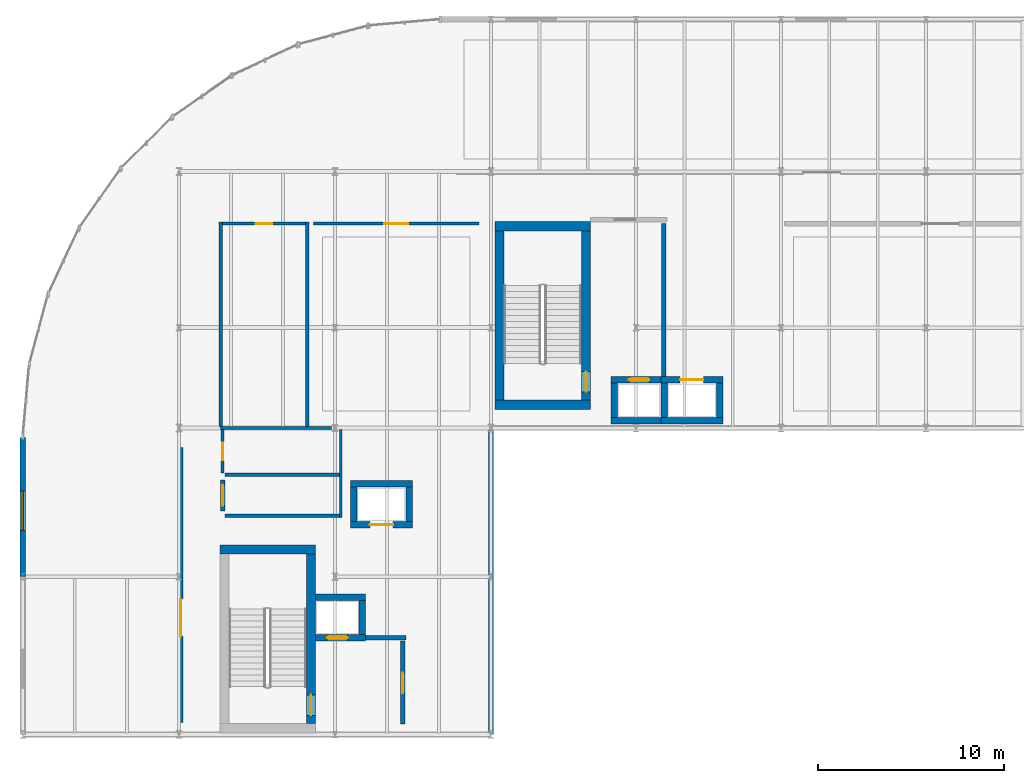
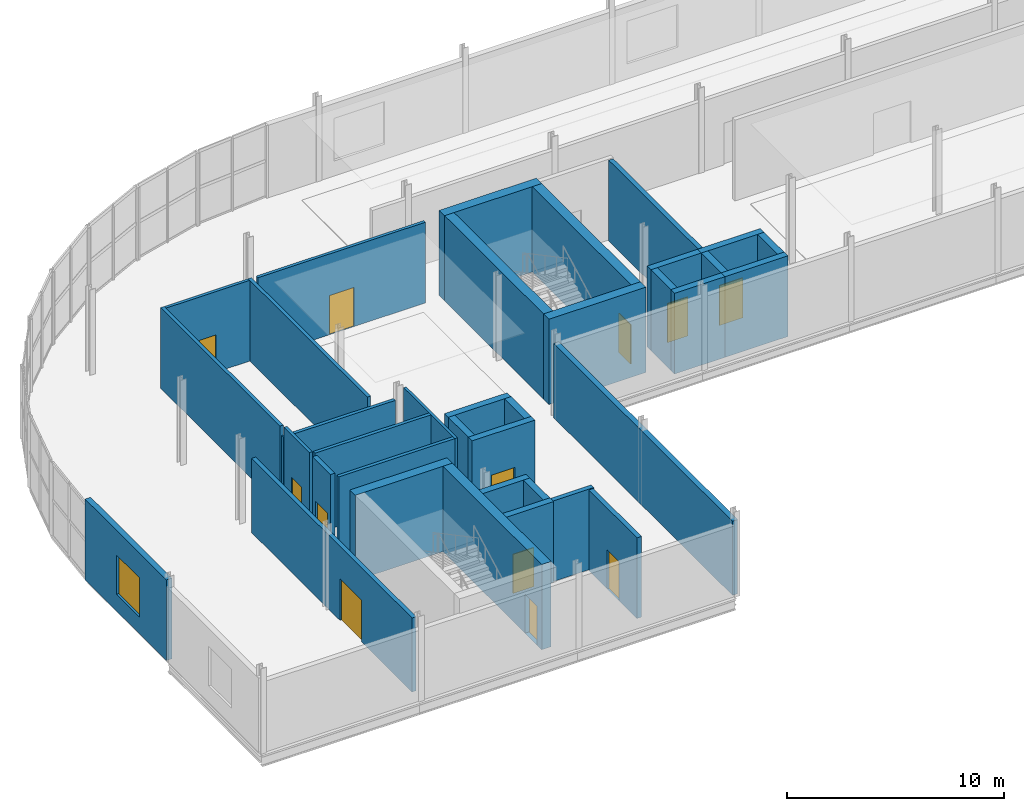
# One storey, part 10 of 15: 36 walls, 12 doors, 1 window, 13 openings.
"""IFC4 building model written with IfcOpenShell, lengths in metres."""

from ifc_helpers import new_model, si_unit, direction, frame, frame_2d, origin, place, context, subcontext, project, spatial, rectangle, extrude, material, layer, layer_set, type_object, element, fill, save


model = new_model("IFC4")

# Units and contexts
model_context = context("Model", 3, precision=1e-05, world=origin(), true_north=direction((0.0, 1.0)))
body_context = subcontext(model_context, "Body", "Model", "MODEL_VIEW")
ifc_project = project(units=[si_unit("LENGTHUNIT", "METRE"), si_unit("AREAUNIT", "SQUARE_METRE"), si_unit("VOLUMEUNIT", "CUBIC_METRE"), si_unit("PLANEANGLEUNIT", "RADIAN"), si_unit("MASSUNIT", "GRAM", prefix="KILO")], contexts=[model_context])

# Site, building, storey
site_placement = place(None, origin())
site = spatial("IfcSite", under=ifc_project, at=site_placement, CompositionType="ELEMENT")
building_placement = place(site_placement, origin())
building = spatial("IfcBuilding", under=site, at=building_placement, Name="Sefraquen Railside Congress Hotel", CompositionType="ELEMENT")
storey_placement = place(building_placement, frame((0.0, 0.0, 46.800048828125)))
storey = spatial("IfcBuildingStorey", under=building, at=storey_placement, Name="L11", CompositionType="ELEMENT", Elevation=46.800048828125)

# Wall, opening, door
ifc_material_1 = material(Name="Acoustic double stud and gypsum board", Category="gypsum")
ifc_layer_1 = layer(ifc_material_1, 0.219970703125)
ifc_layer_set_1 = layer_set([ifc_layer_1], Name="Acoustic double stud and gypsum board")
wall_type_1 = type_object("IfcWallType", Name="TW-AW-220", PredefinedType="PARTITIONING", material=ifc_layer_set_1)
wall_1_placement = place(storey_placement, frame((8.5, 80.14990234375, 0.0), z_axis=(0.0, 0.0, 1.0), x_axis=(0.0, 1.0, 0.0)))
wall_1 = element("IfcWall", 1, at=wall_1_placement, inside=storey, type_object=wall_type_1, Name="Presidential Private Banquet Salon enclosure wall", PredefinedType="PARTITIONING", context=body_context, shape_type="SweptSolid", body=[
    extrude(rectangle(XDim=14.800048828125, YDim=0.219970703125, at=frame_2d((7.39990234375, 0.0))), origin(), (0.0, 0.0, 1.0), 4.169921875),
])
opening_1_placement = place(wall_1_placement, frame((4.64990234375, 0.0, 0.0)))
opening_1 = element("IfcOpeningElement", 2, at=opening_1_placement, cuts=wall_1, Name="Opening AD-02", PredefinedType="OPENING", context=body_context, shape_type="SweptSolid", body=[
    extrude(rectangle(XDim=2.0, YDim=2.35009765625, at=frame_2d((1.0, 1.175048828125))), frame((0.0, 0.119873046875, 0.0), z_axis=(0.0, -1.0, 0.0), x_axis=(1.0, 0.0, 0.0)), (0.0, 0.0, 1.0), 0.239990234375),
])
ifc_material_2 = material(Name="Acoustic Atlas cedar timber", Category="wood")
door_type_1 = type_object("IfcDoorType", Name="TD-AD-02", OperationType="NOTDEFINED", PredefinedType="DOOR", material=ifc_material_2)
door_1_placement = place(opening_1_placement, origin())
door_1 = element("IfcDoor", 3, at=door_1_placement, inside=storey, type_object=door_type_1, Name="Presidential Private Banquet Salon entrance door", OperationType="DOUBLE_SWING_LEFT", OverallHeight=2.35009765625, OverallWidth=2.0, PredefinedType="DOOR", context=body_context, shape_type="SweptSolid", body=[
    extrude(rectangle(XDim=2.0, YDim=2.35009765625, at=frame_2d((1.0, 1.175048828125))), frame((0.0, 0.02490234375, 0.0), z_axis=(0.0, -1.0, 0.0), x_axis=(1.0, 0.0, 0.0)), (0.0, 0.0, 1.0), 0.050048828125),
])
fill(opening_1, door_1)

# Wall
ifc_material_3 = material(Name="Concrete C50/60", Category="concrete")
ifc_layer_2 = layer(ifc_material_3, 0.35009765625)
ifc_layer_set_2 = layer_set([ifc_layer_2], Name="Concrete C50/60")
wall_type_2 = type_object("IfcWallType", Name="TW-CW-350", PredefinedType="SHEAR", material=ifc_layer_set_2)
wall_2_placement = place(storey_placement, frame((15.760009765625, 86.89501953125, 0.0), z_axis=(0.0, 0.0, 1.0), x_axis=(1.0, 0.0, 0.0)))
element("IfcWall", 4, at=wall_2_placement, inside=storey, type_object=wall_type_2, Name="Lift FL-01 shaft wall N L11", PredefinedType="SHEAR", context=body_context, shape_type="SweptSolid", body=[
    extrude(rectangle(XDim=2.68994140625, YDim=0.35009765625, at=frame_2d((1.344970703125, 0.0))), origin(), (0.0, 0.0, 1.0), 4.5400390625),
])

# Wall, opening, door
wall_3_placement = place(storey_placement, frame((15.760009765625, 84.705078125, 0.0), z_axis=(0.0, 0.0, 1.0), x_axis=(1.0, 0.0, 0.0)))
wall_3 = element("IfcWall", 5, at=wall_3_placement, inside=storey, type_object=wall_type_2, Name="Lift FL-01 shaft wall S L11", PredefinedType="SHEAR", context=body_context, shape_type="SweptSolid", body=[
    extrude(rectangle(XDim=2.68994140625, YDim=0.35009765625, at=frame_2d((1.344970703125, 0.0))), origin(), (0.0, 0.0, 1.0), 4.5400390625),
])
opening_2_placement = place(wall_3_placement, frame((0.6201171875, 0.0, 0.0)))
opening_2 = element("IfcOpeningElement", 6, at=opening_2_placement, cuts=wall_3, Name="Opening LD-01", PredefinedType="OPENING", context=body_context, shape_type="SweptSolid", body=[
    extrude(rectangle(XDim=1.10009765625, YDim=2.199951171875, at=frame_2d((0.550048828125, 1.10009765625))), frame((0.0, 0.18505859375, 0.0), z_axis=(0.0, -1.0, 0.0), x_axis=(1.0, 0.0, 0.0)), (0.0, 0.0, 1.0), 0.3701171875),
])
ifc_material_4 = material(Name="Brushed bronze stainless steel", Category="steel")
door_type_2 = type_object("IfcDoorType", Name="TD-LD-01", OperationType="NOTDEFINED", PredefinedType="DOOR", material=ifc_material_4)
door_2_placement = place(opening_2_placement, origin())
door_2 = element("IfcDoor", 7, at=door_2_placement, inside=storey, type_object=door_type_2, Name="Lift landing door FL-01 L11", OperationType="SLIDING_TO_LEFT", OverallHeight=2.199951171875, OverallWidth=1.10009765625, PredefinedType="DOOR", context=body_context, shape_type="SweptSolid", body=[
    extrude(rectangle(XDim=1.10009765625, YDim=2.199951171875, at=frame_2d((0.550048828125, 1.10009765625))), frame((0.0, 0.02490234375, 0.0), z_axis=(0.0, -1.0, 0.0), x_axis=(1.0, 0.0, 0.0)), (0.0, 0.0, 1.0), 0.050048828125),
])
fill(opening_2, door_2)

# Wall
wall_4_placement = place(storey_placement, frame((18.27490234375, 84.8798828125, 0.0), z_axis=(0.0, 0.0, 1.0), x_axis=(0.0, 1.0, 0.0)))
element("IfcWall", 8, at=wall_4_placement, inside=storey, type_object=wall_type_2, Name="Lift FL-01 shaft wall E L11", PredefinedType="SHEAR", context=body_context, shape_type="SweptSolid", body=[
    extrude(rectangle(XDim=1.840087890625, YDim=0.35009765625, at=frame_2d((0.919921875, 0.0))), origin(), (0.0, 0.0, 1.0), 4.5400390625),
])

# Wall, opening, door
wall_5_placement = place(storey_placement, frame((31.639892578125, 98.594970703125, 0.0), z_axis=(0.0, 0.0, 1.0), x_axis=(1.0, 0.0, 0.0)))
wall_5 = element("IfcWall", 9, at=wall_5_placement, inside=storey, type_object=wall_type_2, Name="Lift FL-02 shaft wall N L11", PredefinedType="SHEAR", context=body_context, shape_type="SweptSolid", body=[
    extrude(rectangle(XDim=2.690185546875, YDim=0.35009765625, at=frame_2d((1.34521484375, 0.0))), origin(), (0.0, 0.0, 1.0), 4.5400390625),
])
opening_3_placement = place(wall_5_placement, frame((0.969970703125, 0.0, 0.0)))
opening_3 = element("IfcOpeningElement", 10, at=opening_3_placement, cuts=wall_5, Name="Opening LD-01", PredefinedType="OPENING", context=body_context, shape_type="SweptSolid", body=[
    extrude(rectangle(XDim=1.10009765625, YDim=2.199951171875, at=frame_2d((0.550048828125, 1.10009765625))), frame((0.0, 0.18505859375, 0.0), z_axis=(0.0, -1.0, 0.0), x_axis=(1.0, 0.0, 0.0)), (0.0, 0.0, 1.0), 0.3701171875),
])
door_3_placement = place(opening_3_placement, origin())
door_3 = element("IfcDoor", 11, at=door_3_placement, inside=storey, type_object=door_type_2, Name="Lift landing door FL-02 L11", OperationType="SLIDING_TO_LEFT", OverallHeight=2.199951171875, OverallWidth=1.10009765625, PredefinedType="DOOR", context=body_context, shape_type="SweptSolid", body=[
    extrude(rectangle(XDim=1.10009765625, YDim=2.199951171875, at=frame_2d((0.550048828125, 1.10009765625))), frame((0.0, 0.02490234375, 0.0), z_axis=(0.0, -1.0, 0.0), x_axis=(1.0, 0.0, 0.0)), (0.0, 0.0, 1.0), 0.050048828125),
])
fill(opening_3, door_3)

# Walls
wall_6_placement = place(storey_placement, frame((31.639892578125, 96.405029296875, 0.0), z_axis=(0.0, 0.0, 1.0), x_axis=(1.0, 0.0, 0.0)))
element("IfcWall", 12, at=wall_6_placement, inside=storey, type_object=wall_type_2, Name="Lift FL-02 shaft wall S L11", PredefinedType="SHEAR", context=body_context, shape_type="SweptSolid", body=[
    extrude(rectangle(XDim=2.690185546875, YDim=0.35009765625, at=frame_2d((1.34521484375, 0.0))), origin(), (0.0, 0.0, 1.0), 4.5400390625),
])
wall_7_placement = place(storey_placement, frame((31.81494140625, 96.580078125, 0.0), z_axis=(0.0, 0.0, 1.0), x_axis=(0.0, 1.0, 0.0)))
element("IfcWall", 13, at=wall_7_placement, inside=storey, type_object=wall_type_2, Name="Lift FL-02 shaft wall W L11", PredefinedType="SHEAR", context=body_context, shape_type="SweptSolid", body=[
    extrude(rectangle(XDim=1.83984375, YDim=0.35009765625, at=frame_2d((0.919921875, 0.0))), origin(), (0.0, 0.0, 1.0), 4.5400390625),
])
wall_8_placement = place(storey_placement, frame((17.6298828125, 92.9951171875, 0.0), z_axis=(0.0, 0.0, 1.0), x_axis=(1.0, 0.0, 0.0)))
element("IfcWall", 14, at=wall_8_placement, inside=storey, type_object=wall_type_2, Name="Lift PL-01 shaft wall N L11", PredefinedType="SHEAR", context=body_context, shape_type="SweptSolid", body=[
    extrude(rectangle(XDim=3.340087890625, YDim=0.35009765625, at=frame_2d((1.669921875, 0.0))), origin(), (0.0, 0.0, 1.0), 4.5400390625),
])

# Wall, opening, door
wall_9_placement = place(storey_placement, frame((17.6298828125, 90.804931640625, 0.0), z_axis=(0.0, 0.0, 1.0), x_axis=(1.0, 0.0, 0.0)))
wall_9 = element("IfcWall", 15, at=wall_9_placement, inside=storey, type_object=wall_type_2, Name="Lift PL-01 shaft wall S L11", PredefinedType="SHEAR", context=body_context, shape_type="SweptSolid", body=[
    extrude(rectangle(XDim=3.340087890625, YDim=0.35009765625, at=frame_2d((1.669921875, 0.0))), origin(), (0.0, 0.0, 1.0), 4.5400390625),
])
opening_4_placement = place(wall_9_placement, frame((1.044921875, 0.0, 0.0)))
opening_4 = element("IfcOpeningElement", 16, at=opening_4_placement, cuts=wall_9, Name="Opening LD-02", PredefinedType="OPENING", context=body_context, shape_type="SweptSolid", body=[
    extrude(rectangle(XDim=1.25, YDim=2.25, at=frame_2d((0.625, 1.125))), frame((0.0, 0.18505859375, 0.0), z_axis=(0.0, -1.0, 0.0), x_axis=(1.0, 0.0, 0.0)), (0.0, 0.0, 1.0), 0.3701171875),
])
ifc_material_5 = material(Name="Brushed stainless steel", Category="steel")
door_type_3 = type_object("IfcDoorType", Name="TD-LD-02", OperationType="NOTDEFINED", PredefinedType="DOOR", material=ifc_material_5)
door_4_placement = place(opening_4_placement, origin())
door_4 = element("IfcDoor", 17, at=door_4_placement, inside=storey, type_object=door_type_3, Name="Lift landing door PL-01 L11", OperationType="SLIDING_TO_LEFT", OverallHeight=2.25, OverallWidth=1.25, PredefinedType="DOOR", context=body_context, shape_type="SweptSolid", body=[
    extrude(rectangle(XDim=1.25, YDim=2.25, at=frame_2d((0.625, 1.125))), frame((0.0, 0.02490234375, 0.0), z_axis=(0.0, -1.0, 0.0), x_axis=(1.0, 0.0, 0.0)), (0.0, 0.0, 1.0), 0.050048828125),
])
fill(opening_4, door_4)

# Walls
for number, where, z_axis, x_axis, name in (
    (18, (17.804931640625, 90.97998046875, 0.0), (0.0, 0.0, 1.0), (0.0, 1.0, 0.0), "Lift PL-01 shaft wall W L11"),
    (19, (20.794921875, 90.97998046875, 0.0), (0.0, 0.0, 1.0), (0.0, 1.0, 0.0), "Lift PL-01 shaft wall E L11"),
):
    element("IfcWall", number, at=place(storey_placement, frame(where, z_axis=z_axis, x_axis=x_axis)), inside=storey, type_object=wall_type_2, Name=name, PredefinedType="SHEAR", context=body_context, shape_type="SweptSolid", body=[
        extrude(rectangle(XDim=1.840087890625, YDim=0.35009765625, at=frame_2d((0.919921875, 0.0))), origin(), (0.0, 0.0, 1.0), 4.5400390625),
    ])

# Wall, opening, door
wall_10_placement = place(storey_placement, frame((34.330078125, 98.594970703125, 0.0), z_axis=(0.0, 0.0, 1.0), x_axis=(1.0, 0.0, 0.0)))
wall_10 = element("IfcWall", 20, at=wall_10_placement, inside=storey, type_object=wall_type_2, Name="Lift PL-03 shaft wall N L11", PredefinedType="SHEAR", context=body_context, shape_type="SweptSolid", body=[
    extrude(rectangle(XDim=3.33984375, YDim=0.35009765625, at=frame_2d((1.669921875, 0.0))), origin(), (0.0, 0.0, 1.0), 4.5400390625),
])
opening_5_placement = place(wall_10_placement, frame((1.044921875, 0.0, 0.0)))
opening_5 = element("IfcOpeningElement", 21, at=opening_5_placement, cuts=wall_10, Name="Opening LD-02", PredefinedType="OPENING", context=body_context, shape_type="SweptSolid", body=[
    extrude(rectangle(XDim=1.25, YDim=2.25, at=frame_2d((0.625, 1.125))), frame((0.0, 0.18505859375, 0.0), z_axis=(0.0, -1.0, 0.0), x_axis=(1.0, 0.0, 0.0)), (0.0, 0.0, 1.0), 0.3701171875),
])
door_5_placement = place(opening_5_placement, origin())
door_5 = element("IfcDoor", 22, at=door_5_placement, inside=storey, type_object=door_type_3, Name="Lift landing door PL-03 L11", OperationType="SLIDING_TO_LEFT", OverallHeight=2.25, OverallWidth=1.25, PredefinedType="DOOR", context=body_context, shape_type="SweptSolid", body=[
    extrude(rectangle(XDim=1.25, YDim=2.25, at=frame_2d((0.625, 1.125))), frame((0.0, 0.02490234375, 0.0), z_axis=(0.0, -1.0, 0.0), x_axis=(1.0, 0.0, 0.0)), (0.0, 0.0, 1.0), 0.050048828125),
])
fill(opening_5, door_5)

# Walls
wall_11_placement = place(storey_placement, frame((34.330078125, 96.405029296875, 0.0), z_axis=(0.0, 0.0, 1.0), x_axis=(1.0, 0.0, 0.0)))
element("IfcWall", 23, at=wall_11_placement, inside=storey, type_object=wall_type_2, Name="Lift PL-03 shaft wall S L11", PredefinedType="SHEAR", context=body_context, shape_type="SweptSolid", body=[
    extrude(rectangle(XDim=3.33984375, YDim=0.35009765625, at=frame_2d((1.669921875, 0.0))), origin(), (0.0, 0.0, 1.0), 4.5400390625),
])
for number, where, z_axis, x_axis, name in (
    (24, (34.5048828125, 96.580078125, 0.0), (0.0, 0.0, 1.0), (0.0, 1.0, 0.0), "Lift PL-03 shaft wall W L11"),
    (25, (37.4951171875, 96.580078125, 0.0), (0.0, 0.0, 1.0), (0.0, 1.0, 0.0), "Lift PL-03 shaft wall E L11"),
):
    element("IfcWall", number, at=place(storey_placement, frame(where, z_axis=z_axis, x_axis=x_axis)), inside=storey, type_object=wall_type_2, Name=name, PredefinedType="SHEAR", context=body_context, shape_type="SweptSolid", body=[
        extrude(rectangle(XDim=1.83984375, YDim=0.35009765625, at=frame_2d((0.919921875, 0.0))), origin(), (0.0, 0.0, 1.0), 4.5400390625),
    ])
ifc_layer_3 = layer(ifc_material_3, 0.5)
ifc_layer_set_3 = layer_set([ifc_layer_3], Name="Concrete C50/60")
wall_type_3 = type_object("IfcWallType", Name="TW-CW-500", PredefinedType="SHEAR", material=ifc_layer_set_3)
wall_12_placement = place(storey_placement, frame((10.60009765625, 89.4619140625, 0.0), z_axis=(0.0, 0.0, 1.0), x_axis=(1.0, 0.0, 0.0)))
element("IfcWall", 26, at=wall_12_placement, inside=storey, type_object=wall_type_3, Name="Core shear wall ST-H01 N L11", PredefinedType="SHEAR", context=body_context, shape_type="SweptSolid", body=[
    extrude(rectangle(XDim=5.159912109375, YDim=0.5, at=frame_2d((2.580078125, 0.0))), origin(), (0.0, 0.0, 1.0), 4.800048828125),
])

# Wall, opening, door
wall_13_placement = place(storey_placement, frame((15.510009765625, 80.10009765625, 0.0), z_axis=(0.0, 0.0, 1.0), x_axis=(0.0, 1.0, 0.0)))
wall_13 = element("IfcWall", 27, at=wall_13_placement, inside=storey, type_object=wall_type_3, Name="Core shear wall ST-H01 E L11", PredefinedType="SHEAR", context=body_context, shape_type="SweptSolid", body=[
    extrude(rectangle(XDim=9.11181640625, YDim=0.5, at=frame_2d((4.555908203125, 0.0))), origin(), (0.0, 0.0, 1.0), 4.800048828125),
])
opening_6_placement = place(wall_13_placement, frame((0.43994140625, 0.0, 0.0)))
opening_6 = element("IfcOpeningElement", 28, at=opening_6_placement, cuts=wall_13, Name="Opening FD-04", PredefinedType="OPENING", context=body_context, shape_type="SweptSolid", body=[
    extrude(rectangle(XDim=1.10009765625, YDim=2.199951171875, at=frame_2d((0.550048828125, 1.10009765625))), frame((0.0, 0.260009765625, 0.0), z_axis=(0.0, -1.0, 0.0), x_axis=(1.0, 0.0, 0.0)), (0.0, 0.0, 1.0), 0.52001953125),
])
ifc_material_6 = material(Name="Fire-rated steel", Category="steel")
door_type_4 = type_object("IfcDoorType", Name="TD-FD-04", OperationType="NOTDEFINED", PredefinedType="DOOR", material=ifc_material_6)
door_6_placement = place(opening_6_placement, origin())
door_6 = element("IfcDoor", 29, at=door_6_placement, inside=storey, type_object=door_type_4, Name="Pressurized stair ST-H01 fire door L11", OperationType="SINGLE_SWING_LEFT", OverallHeight=2.199951171875, OverallWidth=1.10009765625, PredefinedType="DOOR", context=body_context, shape_type="SweptSolid", body=[
    extrude(rectangle(XDim=1.10009765625, YDim=2.199951171875, at=frame_2d((0.550048828125, 1.10009765625))), frame((0.0, 0.02490234375, 0.0), z_axis=(0.0, -1.0, 0.0), x_axis=(1.0, 0.0, 0.0)), (0.0, 0.0, 1.0), 0.050048828125),
])
fill(opening_6, door_6)

# Walls
for number, where, z_axis, x_axis, name in (
    (30, (25.39990234375, 106.862060546875, 0.0), (0.0, 0.0, 1.0), (1.0, 0.0, 0.0), "Core shear wall ST-H02 N L11"),
    (31, (25.39990234375, 97.25, 0.0), (0.0, 0.0, 1.0), (1.0, 0.0, 0.0), "Core shear wall ST-H02 S L11"),
):
    element("IfcWall", number, at=place(storey_placement, frame(where, z_axis=z_axis, x_axis=x_axis)), inside=storey, type_object=wall_type_3, Name=name, PredefinedType="SHEAR", context=body_context, shape_type="SweptSolid", body=[
        extrude(rectangle(XDim=5.16015625, YDim=0.5, at=frame_2d((2.580078125, 0.0))), origin(), (0.0, 0.0, 1.0), 4.800048828125),
    ])
wall_14_placement = place(storey_placement, frame((25.64990234375, 97.5, 0.0), z_axis=(0.0, 0.0, 1.0), x_axis=(0.0, 1.0, 0.0)))
element("IfcWall", 32, at=wall_14_placement, inside=storey, type_object=wall_type_3, Name="Core shear wall ST-H02 W L11", PredefinedType="SHEAR", context=body_context, shape_type="SweptSolid", body=[
    extrude(rectangle(XDim=9.112060546875, YDim=0.5, at=frame_2d((4.55615234375, 0.0))), origin(), (0.0, 0.0, 1.0), 4.800048828125),
])

# Wall, opening, door
wall_15_placement = place(storey_placement, frame((30.31005859375, 97.5, 0.0), z_axis=(0.0, 0.0, 1.0), x_axis=(0.0, 1.0, 0.0)))
wall_15 = element("IfcWall", 33, at=wall_15_placement, inside=storey, type_object=wall_type_3, Name="Core shear wall ST-H02 E L11", PredefinedType="SHEAR", context=body_context, shape_type="SweptSolid", body=[
    extrude(rectangle(XDim=9.112060546875, YDim=0.5, at=frame_2d((4.55615234375, 0.0))), origin(), (0.0, 0.0, 1.0), 4.800048828125),
])
opening_7_placement = place(wall_15_placement, frame((0.43994140625, 0.0, 0.0)))
opening_7 = element("IfcOpeningElement", 34, at=opening_7_placement, cuts=wall_15, Name="Opening FD-04", PredefinedType="OPENING", context=body_context, shape_type="SweptSolid", body=[
    extrude(rectangle(XDim=1.10009765625, YDim=2.199951171875, at=frame_2d((0.550048828125, 1.10009765625))), frame((0.0, 0.260009765625, 0.0), z_axis=(0.0, -1.0, 0.0), x_axis=(1.0, 0.0, 0.0)), (0.0, 0.0, 1.0), 0.52001953125),
])
door_7_placement = place(opening_7_placement, origin())
door_7 = element("IfcDoor", 35, at=door_7_placement, inside=storey, type_object=door_type_4, Name="Pressurized stair ST-H02 fire door L11", OperationType="SINGLE_SWING_LEFT", OverallHeight=2.199951171875, OverallWidth=1.10009765625, PredefinedType="DOOR", context=body_context, shape_type="SweptSolid", body=[
    extrude(rectangle(XDim=1.10009765625, YDim=2.199951171875, at=frame_2d((0.550048828125, 1.10009765625))), frame((0.0, 0.02490234375, 0.0), z_axis=(0.0, -1.0, 0.0), x_axis=(1.0, 0.0, 0.0)), (0.0, 0.0, 1.0), 0.050048828125),
])
fill(opening_7, door_7)

# Wall
ifc_material_7 = material(Name="Ochre Rabat calcarenite limestone and Concrete C40/50 backing", Category="masonry")
ifc_layer_4 = layer(ifc_material_7, 0.280029296875)
ifc_layer_set_4 = layer_set([ifc_layer_4], Name="Ochre Rabat calcarenite limestone and Concrete C40/50 backing")
wall_type_4 = type_object("IfcWallType", Name="TW-EW-280", PredefinedType="STANDARD", material=ifc_layer_set_4)
wall_16_placement = place(storey_placement, frame((25.199951171875, 79.5, 0.0), z_axis=(0.0, 0.0, 1.0), x_axis=(0.0, 1.0, 0.0)))
element("IfcWall", 36, at=wall_16_placement, inside=storey, type_object=wall_type_4, Name="Hotel L11 courtyard return wall", PredefinedType="STANDARD", context=body_context, shape_type="SweptSolid", body=[
    extrude(rectangle(XDim=16.5, YDim=0.280029296875, at=frame_2d((8.25, 0.0))), origin(), (0.0, 0.0, 1.0), 4.169921875),
])

# Wall, opening, window
ifc_layer_5 = layer(ifc_material_7, 0.300048828125)
ifc_layer_set_5 = layer_set([ifc_layer_5], Name="Ochre Rabat calcarenite limestone and Concrete C40/50 backing")
wall_type_5 = type_object("IfcWallType", Name="TW-EW-300", PredefinedType="STANDARD", material=ifc_layer_set_5)
wall_17_placement = place(storey_placement, frame((0.0, 88.0, 0.0), z_axis=(0.0, 0.0, 1.0), x_axis=(0.0, 1.0, 0.0)))
wall_17 = element("IfcWall", 37, at=wall_17_placement, inside=storey, type_object=wall_type_5, Name="Hotel L11 West Forecourt facade wall", PredefinedType="STANDARD", context=body_context, shape_type="SweptSolid", body=[
    extrude(rectangle(XDim=7.5, YDim=0.300048828125, at=frame_2d((3.75, 0.0))), origin(), (0.0, 0.0, 1.0), 4.5400390625),
])
opening_8_placement = place(wall_17_placement, frame((2.5, 0.0, 0.949951171875)))
opening_8 = element("IfcOpeningElement", 38, at=opening_8_placement, cuts=wall_17, Name="Opening WN-07", PredefinedType="OPENING", context=body_context, shape_type="SweptSolid", body=[
    extrude(rectangle(XDim=2.10009765625, YDim=2.199951171875, at=frame_2d((1.050048828125, 1.10009765625))), frame((0.0, 0.159912109375, 0.0), z_axis=(0.0, -1.0, 0.0), x_axis=(1.0, 0.0, 0.0)), (0.0, 0.0, 1.0), 0.320068359375),
])
ifc_material_8 = material(Name="Solar-control low-E double glazing in bronze-anodised frame", Category="glass")
window_type = type_object("IfcWindowType", Name="TWN-W-07", PartitioningType="DOUBLE_PANEL_VERTICAL", PredefinedType="WINDOW", material=ifc_material_8)
window_placement = place(opening_8_placement, origin())
window = element("IfcWindow", 39, at=window_placement, inside=storey, type_object=window_type, Name="Hotel L11 west window", OverallHeight=2.199951171875, OverallWidth=2.10009765625, PartitioningType="DOUBLE_PANEL_VERTICAL", PredefinedType="WINDOW", context=body_context, shape_type="SweptSolid", body=[
    extrude(rectangle(XDim=2.10009765625, YDim=2.199951171875, at=frame_2d((1.050048828125, 1.10009765625))), frame((0.0, 0.030029296875, 0.0), z_axis=(0.0, -1.0, 0.0), x_axis=(1.0, 0.0, 0.0)), (0.0, 0.0, 1.0), 0.06005859375),
])
fill(opening_8, window)

# Wall
ifc_material_9 = material(Name="Concrete C40/50", Category="concrete")
ifc_layer_6 = layer(ifc_material_9, 0.239990234375)
ifc_layer_set_6 = layer_set([ifc_layer_6], Name="Concrete C40/50")
wall_type_6 = type_object("IfcWallType", Name="TW-FW-240", PredefinedType="STANDARD", material=ifc_layer_set_6)
wall_18_placement = place(storey_placement, frame((18.449951171875, 84.705078125, 0.0), z_axis=(0.0, 0.0, 1.0), x_axis=(1.0, 0.0, 0.0)))
element("IfcWall", 40, at=wall_18_placement, inside=storey, type_object=wall_type_6, Name="Firefighting Lift Lobby FFL-01 N fire wall L11", PredefinedType="STANDARD", context=body_context, shape_type="SweptSolid", body=[
    extrude(rectangle(XDim=2.170166015625, YDim=0.239990234375, at=frame_2d((1.0849609375, 0.0))), origin(), (0.0, 0.0, 1.0), 4.5400390625),
])

# Wall, opening, door
wall_19_placement = place(storey_placement, frame((20.43994140625, 80.080078125, 0.0), z_axis=(0.0, 0.0, 1.0), x_axis=(0.0, 1.0, 0.0)))
wall_19 = element("IfcWall", 41, at=wall_19_placement, inside=storey, type_object=wall_type_6, Name="Firefighting Lift Lobby FFL-01 EI 120 separation wall L11", PredefinedType="STANDARD", context=body_context, shape_type="SweptSolid", body=[
    extrude(rectangle(XDim=4.449951171875, YDim=0.239990234375, at=frame_2d((2.22509765625, 0.0))), origin(), (0.0, 0.0, 1.0), 4.5400390625),
])
opening_9_placement = place(wall_19_placement, frame((1.64990234375, 0.0, 0.0)))
opening_9 = element("IfcOpeningElement", 42, at=opening_9_placement, cuts=wall_19, Name="Opening FD-04", PredefinedType="OPENING", context=body_context, shape_type="SweptSolid", body=[
    extrude(rectangle(XDim=1.10009765625, YDim=2.199951171875, at=frame_2d((0.550048828125, 1.10009765625))), frame((0.0, 0.1298828125, 0.0), z_axis=(0.0, -1.0, 0.0), x_axis=(1.0, 0.0, 0.0)), (0.0, 0.0, 1.0), 0.260009765625),
])
door_8_placement = place(opening_9_placement, origin())
door_8 = element("IfcDoor", 43, at=door_8_placement, inside=storey, type_object=door_type_4, Name="Firefighting Lift Lobby FFL-01 self-closing fire door L11", OperationType="SINGLE_SWING_LEFT", OverallHeight=2.199951171875, OverallWidth=1.10009765625, PredefinedType="DOOR", context=body_context, shape_type="SweptSolid", body=[
    extrude(rectangle(XDim=1.10009765625, YDim=2.199951171875, at=frame_2d((0.550048828125, 1.10009765625))), frame((0.0, 0.02490234375, 0.0), z_axis=(0.0, -1.0, 0.0), x_axis=(1.0, 0.0, 0.0)), (0.0, 0.0, 1.0), 0.050048828125),
])
fill(opening_9, door_8)

# Wall
wall_20_placement = place(storey_placement, frame((34.47998046875, 98.780029296875, 0.0), z_axis=(0.0, 0.0, 1.0), x_axis=(0.0, 1.0, 0.0)))
element("IfcWall", 44, at=wall_20_placement, inside=storey, type_object=wall_type_6, Name="Firefighting Lift Lobby FFL-02 east fire wall L11", PredefinedType="STANDARD", context=body_context, shape_type="SweptSolid", body=[
    extrude(rectangle(XDim=8.239990234375, YDim=0.239990234375, at=frame_2d((4.1201171875, 0.0))), origin(), (0.0, 0.0, 1.0), 4.5400390625),
])

# Wall, opening, door
wall_21_placement = place(storey_placement, frame((10.75, 91.550048828125, 0.0), z_axis=(0.0, 0.0, 1.0), x_axis=(0.0, 1.0, 0.0)))
wall_21 = element("IfcWall", 45, at=wall_21_placement, inside=storey, type_object=wall_type_6, Name="Crown Smoke-Extract and Electrical Plant Room enclosure wall", PredefinedType="STANDARD", context=body_context, shape_type="SweptSolid", body=[
    extrude(rectangle(XDim=1.64990234375, YDim=0.239990234375, at=frame_2d((0.824951171875, 0.0))), origin(), (0.0, 0.0, 1.0), 4.5400390625),
])
opening_10_placement = place(wall_21_placement, frame((0.27490234375, 0.0, 0.0)))
opening_10 = element("IfcOpeningElement", 46, at=opening_10_placement, cuts=wall_21, Name="Opening FD-04", PredefinedType="OPENING", context=body_context, shape_type="SweptSolid", body=[
    extrude(rectangle(XDim=1.10009765625, YDim=2.199951171875, at=frame_2d((0.550048828125, 1.10009765625))), frame((0.0, 0.1298828125, 0.0), z_axis=(0.0, -1.0, 0.0), x_axis=(1.0, 0.0, 0.0)), (0.0, 0.0, 1.0), 0.260009765625),
])
door_9_placement = place(opening_10_placement, origin())
door_9 = element("IfcDoor", 47, at=door_9_placement, inside=storey, type_object=door_type_4, Name="Crown Smoke-Extract and Electrical Plant Room entrance door", OperationType="SINGLE_SWING_RIGHT", OverallHeight=2.199951171875, OverallWidth=1.10009765625, PredefinedType="DOOR", context=body_context, shape_type="SweptSolid", body=[
    extrude(rectangle(XDim=1.10009765625, YDim=2.199951171875, at=frame_2d((0.550048828125, 1.10009765625))), frame((0.0, 0.02490234375, 0.0), z_axis=(0.0, -1.0, 0.0), x_axis=(1.0, 0.0, 0.0)), (0.0, 0.0, 1.0), 0.050048828125),
])
fill(opening_10, door_9)

# Wall
ifc_material_10 = material(Name="Moisture-resistant gypsum board", Category="gypsum")
ifc_layer_7 = layer(ifc_material_10, 0.139892578125)
ifc_layer_set_7 = layer_set([ifc_layer_7], Name="Moisture-resistant gypsum board")
wall_type_7 = type_object("IfcWallType", Name="TW-PW-140", PredefinedType="PARTITIONING", material=ifc_layer_set_7)
wall_22_placement = place(storey_placement, frame((17.110107421875, 91.18994140625, 0.0), z_axis=(0.0, 0.0, 1.0), x_axis=(0.0, 1.0, 0.0)))
element("IfcWall", 48, at=wall_22_placement, inside=storey, type_object=wall_type_7, Name="Crown accessible WC east enclosure partition", PredefinedType="PARTITIONING", context=body_context, shape_type="SweptSolid", body=[
    extrude(rectangle(XDim=4.719970703125, YDim=0.139892578125, at=frame_2d((2.35986328125, 0.0))), origin(), (0.0, 0.0, 1.0), 4.5400390625),
])

# Wall, opening, door
ifc_layer_8 = layer(ifc_material_10, 0.159912109375)
ifc_layer_set_8 = layer_set([ifc_layer_8], Name="Moisture-resistant gypsum board")
wall_type_8 = type_object("IfcWallType", Name="TW-PW-160", PredefinedType="PARTITIONING", material=ifc_layer_set_8)
wall_23_placement = place(storey_placement, frame((15.64990234375, 107.0, 0.0), z_axis=(0.0, 0.0, 1.0), x_axis=(1.0, 0.0, 0.0)))
wall_23 = element("IfcWall", 49, at=wall_23_placement, inside=storey, type_object=wall_type_8, Name="Rotunda Crown Observatory Salon enclosure wall", PredefinedType="PARTITIONING", context=body_context, shape_type="SweptSolid", body=[
    extrude(rectangle(XDim=8.900146484375, YDim=0.159912109375, at=frame_2d((4.4501953125, 0.0))), origin(), (0.0, 0.0, 1.0), 4.5400390625),
])
opening_11_placement = place(wall_23_placement, frame((3.800048828125, 0.0, 0.0)))
opening_11 = element("IfcOpeningElement", 50, at=opening_11_placement, cuts=wall_23, Name="Opening MD-02", PredefinedType="OPENING", context=body_context, shape_type="SweptSolid", body=[
    extrude(rectangle(XDim=1.300048828125, YDim=2.199951171875, at=frame_2d((0.64990234375, 1.10009765625))), frame((0.0, 0.08984375, 0.0), z_axis=(0.0, -1.0, 0.0), x_axis=(1.0, 0.0, 0.0)), (0.0, 0.0, 1.0), 0.179931640625),
])
ifc_material_11 = material(Name="Acoustic cedar veneer", Category="wood")
door_type_5 = type_object("IfcDoorType", Name="TD-MD-02", OperationType="NOTDEFINED", PredefinedType="DOOR", material=ifc_material_11)
door_10_placement = place(opening_11_placement, origin())
door_10 = element("IfcDoor", 51, at=door_10_placement, inside=storey, type_object=door_type_5, Name="Rotunda Crown Observatory Salon entrance door", OperationType="SINGLE_SWING_RIGHT", OverallHeight=2.199951171875, OverallWidth=1.300048828125, PredefinedType="DOOR", context=body_context, shape_type="SweptSolid", body=[
    extrude(rectangle(XDim=1.300048828125, YDim=2.199951171875, at=frame_2d((0.64990234375, 1.10009765625))), frame((0.0, 0.02490234375, 0.0), z_axis=(0.0, -1.0, 0.0), x_axis=(1.0, 0.0, 0.0)), (0.0, 0.0, 1.0), 0.050048828125),
])
fill(opening_11, door_10)

wall_24_placement = place(storey_placement, frame((10.75, 93.570068359375, 0.0), z_axis=(0.0, 0.0, 1.0), x_axis=(0.0, 1.0, 0.0)))
wall_24 = element("IfcWall", 52, at=wall_24_placement, inside=storey, type_object=wall_type_8, Name="Crown Public Accessible WC enclosure wall", PredefinedType="PARTITIONING", context=body_context, shape_type="SweptSolid", body=[
    extrude(rectangle(XDim=2.33984375, YDim=0.159912109375, at=frame_2d((1.169921875, 0.0))), origin(), (0.0, 0.0, 1.0), 4.5400390625),
])
opening_12_placement = place(wall_24_placement, frame((0.699951171875, 0.0, 0.0)))
opening_12 = element("IfcOpeningElement", 53, at=opening_12_placement, cuts=wall_24, Name="Opening ID-01", PredefinedType="OPENING", context=body_context, shape_type="SweptSolid", body=[
    extrude(rectangle(XDim=0.93994140625, YDim=2.14990234375, at=frame_2d((0.469970703125, 1.074951171875))), frame((0.0, 0.08984375, 0.0), z_axis=(0.0, -1.0, 0.0), x_axis=(1.0, 0.0, 0.0)), (0.0, 0.0, 1.0), 0.179931640625),
])
ifc_material_12 = material(Name="Lacquered cedar joinery", Category="wood")
door_type_6 = type_object("IfcDoorType", Name="TD-ID-01", OperationType="NOTDEFINED", PredefinedType="DOOR", material=ifc_material_12)
door_11_placement = place(opening_12_placement, origin())
door_11 = element("IfcDoor", 54, at=door_11_placement, inside=storey, type_object=door_type_6, Name="Crown Public Accessible WC entrance door", OperationType="SINGLE_SWING_LEFT", OverallHeight=2.14990234375, OverallWidth=0.93994140625, PredefinedType="DOOR", context=body_context, shape_type="SweptSolid", body=[
    extrude(rectangle(XDim=0.93994140625, YDim=2.14990234375, at=frame_2d((0.469970703125, 1.074951171875))), frame((0.0, 0.02490234375, 0.0), z_axis=(0.0, -1.0, 0.0), x_axis=(1.0, 0.0, 0.0)), (0.0, 0.0, 1.0), 0.050048828125),
])
fill(opening_12, door_11)

wall_25_placement = place(storey_placement, frame((10.739990234375, 107.0, 0.0), z_axis=(0.0, 0.0, 1.0), x_axis=(1.0, 0.0, 0.0)))
wall_25 = element("IfcWall", 55, at=wall_25_placement, inside=storey, type_object=wall_type_8, Name="Crown Staff WC enclosure wall", PredefinedType="PARTITIONING", context=body_context, shape_type="SweptSolid", body=[
    extrude(rectangle(XDim=4.469970703125, YDim=0.159912109375, at=frame_2d((2.23486328125, 0.0))), origin(), (0.0, 0.0, 1.0), 4.5400390625),
])
opening_13_placement = place(wall_25_placement, frame((1.784912109375, 0.0, 0.0)))
opening_13 = element("IfcOpeningElement", 56, at=opening_13_placement, cuts=wall_25, Name="Opening ID-02", PredefinedType="OPENING", context=body_context, shape_type="SweptSolid", body=[
    extrude(rectangle(XDim=0.89990234375, YDim=2.10009765625, at=frame_2d((0.449951171875, 1.050048828125))), frame((0.0, 0.08984375, 0.0), z_axis=(0.0, -1.0, 0.0), x_axis=(1.0, 0.0, 0.0)), (0.0, 0.0, 1.0), 0.179931640625),
])
door_type_7 = type_object("IfcDoorType", Name="TD-ID-02", OperationType="NOTDEFINED", PredefinedType="DOOR", material=ifc_material_12)
door_12_placement = place(opening_13_placement, origin())
door_12 = element("IfcDoor", 57, at=door_12_placement, inside=storey, type_object=door_type_7, Name="Crown Staff WC entrance door", OperationType="SINGLE_SWING_RIGHT", OverallHeight=2.10009765625, OverallWidth=0.89990234375, PredefinedType="DOOR", context=body_context, shape_type="SweptSolid", body=[
    extrude(rectangle(XDim=0.89990234375, YDim=2.10009765625, at=frame_2d((0.449951171875, 1.050048828125))), frame((0.0, 0.02490234375, 0.0), z_axis=(0.0, -1.0, 0.0), x_axis=(1.0, 0.0, 0.0)), (0.0, 0.0, 1.0), 0.050048828125),
])
fill(opening_13, door_12)

# Walls
ifc_material_13 = material(Name="Acoustic gypsum board on metal stud", Category="gypsum")
ifc_layer_9 = layer(ifc_material_13, 0.179931640625)
ifc_layer_set_9 = layer_set([ifc_layer_9], Name="Acoustic gypsum board on metal stud")
wall_type_9 = type_object("IfcWallType", Name="TW-PW-180", PredefinedType="PARTITIONING", material=ifc_layer_set_9)
for number, where, z_axis, x_axis, name in (
    (58, (10.8701171875, 91.280029296875, 0.0), (0.0, 0.0, 1.0), (1.0, 0.0, 0.0), "Crown electrical plant south enclosure partition"),
    (59, (10.8701171875, 93.47998046875, 0.0), (0.0, 0.0, 1.0), (1.0, 0.0, 0.0), "Crown accessible WC and plant dividing partition"),
):
    element("IfcWall", number, at=place(storey_placement, frame(where, z_axis=z_axis, x_axis=x_axis)), inside=storey, type_object=wall_type_9, Name=name, PredefinedType="PARTITIONING", context=body_context, shape_type="SweptSolid", body=[
        extrude(rectangle(XDim=6.169921875, YDim=0.179931640625, at=frame_2d((3.0849609375, 0.0))), origin(), (0.0, 0.0, 1.0), 4.5400390625),
    ])
wall_26_placement = place(storey_placement, frame((10.64990234375, 96.0, 0.0), z_axis=(0.0, 0.0, 1.0), x_axis=(1.0, 0.0, 0.0)))
element("IfcWall", 60, at=wall_26_placement, inside=storey, type_object=wall_type_9, Name="Crown accessible and staff WC dividing partition", PredefinedType="PARTITIONING", context=body_context, shape_type="SweptSolid", body=[
    extrude(rectangle(XDim=5.9501953125, YDim=0.179931640625, at=frame_2d((2.97509765625, 0.0))), origin(), (0.0, 0.0, 1.0), 3.97998046875),
])
for number, where, z_axis, x_axis, name in (
    (61, (10.64990234375, 96.090087890625, 0.0), (0.0, 0.0, 1.0), (0.0, 1.0, 0.0), "Crown staff WC west corridor partition"),
    (62, (15.300048828125, 96.090087890625, 0.0), (0.0, 0.0, 1.0), (0.0, 1.0, 0.0), "Crown staff WC and observatory salon dividing partition"),
):
    element("IfcWall", number, at=place(storey_placement, frame(where, z_axis=z_axis, x_axis=x_axis)), inside=storey, type_object=wall_type_9, Name=name, PredefinedType="PARTITIONING", context=body_context, shape_type="SweptSolid", body=[
        extrude(rectangle(XDim=10.989990234375, YDim=0.179931640625, at=frame_2d((5.4951171875, 0.0))), origin(), (0.0, 0.0, 1.0), 4.5400390625),
    ])

save(model, "model.ifc")
